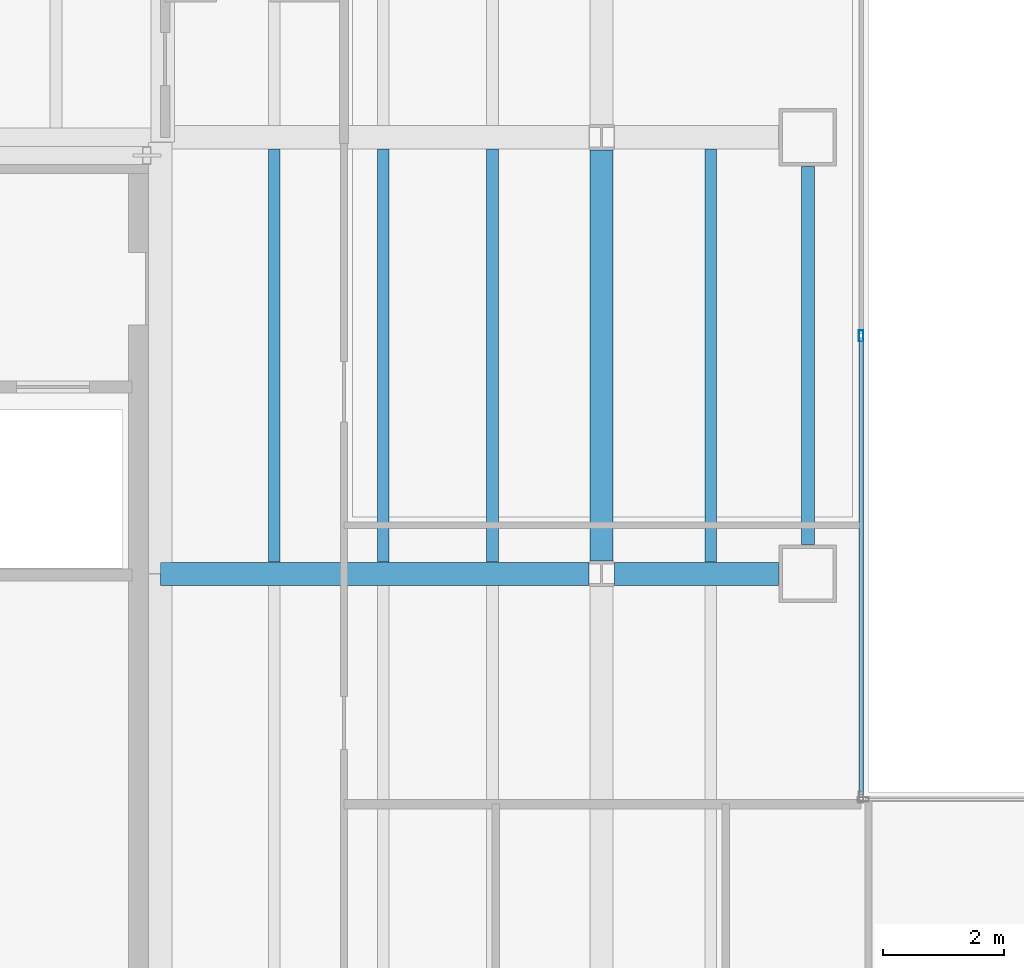
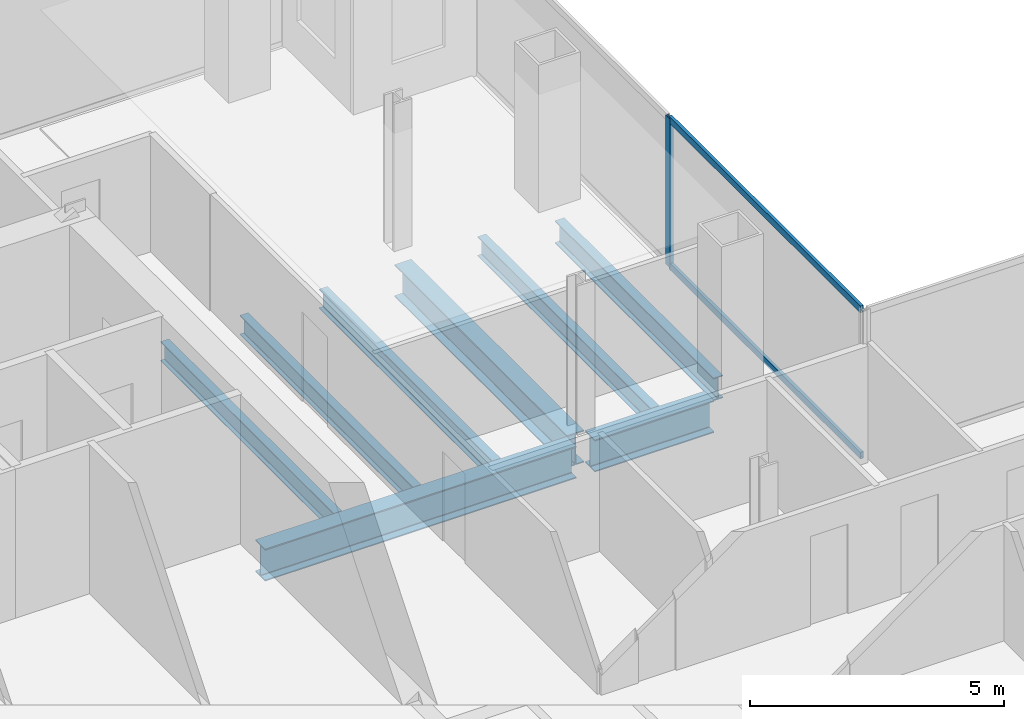
# One storey, part 8 of 24: 8 beams, 3 members, 1 element without a shape of its own.
"""IFC4 building model written with IfcOpenShell, lengths in metres."""

from ifc_helpers import new_model, si_unit, direction, frame, origin, origin_2d, place, context, subcontext, project, spatial, hollow_rectangle, i_section, extrude, material, material_profile, profile_set, type_object, element, aggregate, save


model = new_model("IFC4")

# Units and contexts
model_context = context("Model", 3, precision=1e-05, world=origin(), true_north=direction((0.0, 1.0)))
body_context = subcontext(model_context, "Body", "Model", "MODEL_VIEW")
ifc_project = project(units=[si_unit("LENGTHUNIT", "METRE"), si_unit("AREAUNIT", "SQUARE_METRE"), si_unit("VOLUMEUNIT", "CUBIC_METRE"), si_unit("PLANEANGLEUNIT", "RADIAN"), si_unit("MASSUNIT", "GRAM", prefix="KILO")], contexts=[model_context])

# Site, building, storey
site_placement = place(None, origin())
site = spatial("IfcSite", under=ifc_project, at=site_placement, CompositionType="ELEMENT")
building_placement = place(site_placement, origin())
building = spatial("IfcBuilding", under=site, at=building_placement, Name="Cobrela Telecom Tower", CompositionType="ELEMENT")
storey_placement = place(building_placement, frame((0.0, 0.0, 106.050048828125)))
storey = spatial("IfcBuildingStorey", under=building, at=storey_placement, Name="L26", CompositionType="ELEMENT", Elevation=106.050048828125)

# Beams
ifc_material_1 = material(Name="Steel ASTM A992 Grade 50", Category="steel")
ifc_material_profile_1 = material_profile(ifc_material_1, i_section(OverallWidth=0.381103515625, OverallDepth=0.77197265625, WebThickness=0.0166015625, FlangeThickness=0.027099609375, FilletRadius=0.01904296875, at=origin_2d()), Name="W30X173")
ifc_profile_set_1 = profile_set([ifc_material_profile_1], Name="Steel ASTM A992 Grade 50")
beam_type_1 = type_object("IfcBeamType", Name="BM-GIRD-04", PredefinedType="USERDEFINED", material=ifc_profile_set_1)
beam_1_placement = place(storey_placement, frame((14.324951171875, 28.800048828125, -0.656005859375), z_axis=(1.0, 0.0, 0.0), x_axis=(0.0, 1.0, 0.0)))
element("IfcBeam", 1, at=beam_1_placement, inside=storey, type_object=beam_type_1, Name="L26 Primary Girder X23", ObjectType="GIRDER", PredefinedType="USERDEFINED", context=body_context, shape_type="SweptSolid", body=[
    extrude(i_section(OverallWidth=0.381103515625, OverallDepth=0.77197265625, WebThickness=0.0166015625, FlangeThickness=0.027099609375, FilletRadius=0.01904296875, at=origin_2d()), origin(), (0.0, 0.0, 1.0), 7.0654296875),
])
beam_2_placement = place(storey_placement, frame((21.8095703125, 28.800048828125, -0.656005859375), z_axis=(1.0, 0.0, 0.0), x_axis=(0.0, 1.0, 0.0)))
element("IfcBeam", 2, at=beam_2_placement, inside=storey, type_object=beam_type_1, Name="L26 Primary Girder X24", ObjectType="GIRDER", PredefinedType="USERDEFINED", context=body_context, shape_type="SweptSolid", body=[
    extrude(i_section(OverallWidth=0.381103515625, OverallDepth=0.77197265625, WebThickness=0.0166015625, FlangeThickness=0.027099609375, FilletRadius=0.01904296875, at=origin_2d()), origin(), (0.0, 0.0, 1.0), 2.71044921875),
])
beam_3_placement = place(storey_placement, frame((21.60009765625, 29.009521484375, -0.656005859375), z_axis=(0.0, 1.0, 0.0), x_axis=(-1.0, 0.0, 0.0)))
element("IfcBeam", 3, at=beam_3_placement, inside=storey, type_object=beam_type_1, Name="L26 Primary Girder Y43", ObjectType="GIRDER", PredefinedType="USERDEFINED", context=body_context, shape_type="SweptSolid", body=[
    extrude(i_section(OverallWidth=0.381103515625, OverallDepth=0.77197265625, WebThickness=0.0166015625, FlangeThickness=0.027099609375, FilletRadius=0.01904296875, at=origin_2d()), origin(), (0.0, 0.0, 1.0), 6.781005859375),
])
ifc_material_profile_2 = material_profile(ifc_material_1, i_section(OverallWidth=0.193115234375, OverallDepth=0.467041015625, WebThickness=0.011474609375, FlangeThickness=0.01904296875, FilletRadius=0.012939453125, at=origin_2d()), Name="W18X65")
ifc_profile_set_2 = profile_set([ifc_material_profile_2], Name="Steel ASTM A992 Grade 50")
beam_type_2 = type_object("IfcBeamType", Name="BM-JOIST-03", PredefinedType="JOIST", material=ifc_profile_set_2)
for number, where, z_axis, x_axis, name in (
    (4, (16.199951171875, 28.99560546875, -0.503662109375), (0.0, 1.0, 0.0), (-1.0, 0.0, 0.0), "L26 Secondary Composite Floor Beam J07"),
    (5, (18.0, 28.99560546875, -0.503662109375), (0.0, 1.0, 0.0), (-1.0, 0.0, 0.0), "L26 Secondary Composite Floor Beam J12"),
    (6, (19.800048828125, 28.99560546875, -0.503662109375), (0.0, 1.0, 0.0), (-1.0, 0.0, 0.0), "L26 Secondary Composite Floor Beam J17"),
    (7, (23.39990234375, 28.99560546875, -0.503662109375), (0.0, 1.0, 0.0), (-1.0, 0.0, 0.0), "L26 Secondary Composite Floor Beam J22"),
):
    element("IfcBeam", number, at=place(storey_placement, frame(where, z_axis=z_axis, x_axis=x_axis)), inside=storey, type_object=beam_type_2, Name=name, PredefinedType="JOIST", context=body_context, shape_type="SweptSolid", body=[
        extrude(i_section(OverallWidth=0.193115234375, OverallDepth=0.467041015625, WebThickness=0.011474609375, FlangeThickness=0.01904296875, FilletRadius=0.012939453125, at=origin_2d()), origin(), (0.0, 0.0, 1.0), 6.808837890625),
    ])
ifc_material_profile_3 = material_profile(ifc_material_1, i_section(OverallWidth=0.212890625, OverallDepth=0.549072265625, WebThickness=0.0146484375, FlangeThickness=0.023681640625, FilletRadius=0.013916015625, at=origin_2d()), Name="W21X93")
ifc_profile_set_3 = profile_set([ifc_material_profile_3], Name="Steel ASTM A992 Grade 50")
beam_type_3 = type_object("IfcBeamType", Name="BM-SPAND-03", PredefinedType="SPANDREL", material=ifc_profile_set_3)
beam_4_placement = place(storey_placement, frame((25.0, 29.280029296875, -0.54443359375), z_axis=(0.0, 1.0, 0.0), x_axis=(-1.0, 0.0, 0.0)))
element("IfcBeam", 8, at=beam_4_placement, inside=storey, type_object=beam_type_3, Name="L26 Perimeter Spandrel Y45", PredefinedType="SPANDREL", context=body_context, shape_type="SweptSolid", body=[
    extrude(i_section(OverallWidth=0.212890625, OverallDepth=0.549072265625, WebThickness=0.0146484375, FlangeThickness=0.023681640625, FilletRadius=0.013916015625, at=origin_2d()), origin(), (0.0, 0.0, 1.0), 6.239990234375),
])

# Curtain wall, members
ifc_material_2 = material(Name="Anodized Bronze Aluminium 6063-T6", Category="aluminium")
curtain_wall_type = type_object("IfcCurtainWallType", Name="CW-SYS-TEL", PredefinedType="USERDEFINED", material=ifc_material_2)
curtain_wall_placement = place(storey_placement, origin())
curtain_wall = element("IfcCurtainWall", 9, at=curtain_wall_placement, inside=storey, type_object=curtain_wall_type, Name="L26 Unitised Bronze Curtain Wall 10", ObjectType="UNITISED CURTAIN WALL", PredefinedType="USERDEFINED")
ifc_material_profile_4 = material_profile(ifc_material_2, hollow_rectangle(XDim=0.074951171875, YDim=0.179931640625, WallThickness=0.00390625, at=origin_2d()), Name="ALU 75x180x4")
ifc_profile_set_4 = profile_set([ifc_material_profile_4], Name="Anodized Bronze Aluminium 6063-T6")
member_type_1 = type_object("IfcMemberType", Name="CW-SYS-TEL-MUL", PredefinedType="MULLION", material=ifc_profile_set_4)
member_1_placement = place(storey_placement, frame((25.8798828125, 32.72509765625, 0.0), z_axis=(0.0, 0.0, 1.0), x_axis=(1.0, 0.0, 0.0)))
member_1 = element("IfcMember", 10, at=member_1_placement, type_object=member_type_1, Name="CW-TEL mullion 2", PredefinedType="MULLION", context=body_context, shape_type="SweptSolid", body=[
    extrude(hollow_rectangle(XDim=0.074951171875, YDim=0.179931640625, WallThickness=0.00390625, at=origin_2d()), origin(), (0.0, 0.0, 1.0), 3.579833984375),
])
ifc_material_profile_5 = material_profile(ifc_material_2, hollow_rectangle(XDim=0.070068359375, YDim=0.159912109375, WallThickness=0.00390625, at=origin_2d()), Name="ALU 70x160x4")
ifc_profile_set_5 = profile_set([ifc_material_profile_5], Name="Anodized Bronze Aluminium 6063-T6")
member_type_2 = type_object("IfcMemberType", Name="CW-SYS-TEL-TRN", PredefinedType="USERDEFINED", material=ifc_profile_set_5)
member_2_placement = place(storey_placement, frame((25.8798828125, 32.6875, 0.034912109375), z_axis=(0.0, -1.0, 0.0), x_axis=(1.0, 0.0, 0.0)))
member_2 = element("IfcMember", 11, at=member_2_placement, type_object=member_type_2, Name="CW-TEL transom 2.1", ObjectType="TRANSOM", PredefinedType="USERDEFINED", context=body_context, shape_type="SweptSolid", body=[
    extrude(hollow_rectangle(XDim=0.070068359375, YDim=0.159912109375, WallThickness=0.00390625, at=origin_2d()), origin(), (0.0, 0.0, 1.0), 7.532470703125),
])
member_3_placement = place(storey_placement, frame((25.8798828125, 32.6875, 3.544921875), z_axis=(0.0, -1.0, 0.0), x_axis=(1.0, 0.0, 0.0)))
member_3 = element("IfcMember", 12, at=member_3_placement, type_object=member_type_2, Name="CW-TEL transom 2.2", ObjectType="TRANSOM", PredefinedType="USERDEFINED", context=body_context, shape_type="SweptSolid", body=[
    extrude(hollow_rectangle(XDim=0.070068359375, YDim=0.159912109375, WallThickness=0.00390625, at=origin_2d()), origin(), (0.0, 0.0, 1.0), 7.532470703125),
])
aggregate(curtain_wall, [member_1, member_2, member_3])

save(model, "model.ifc")
